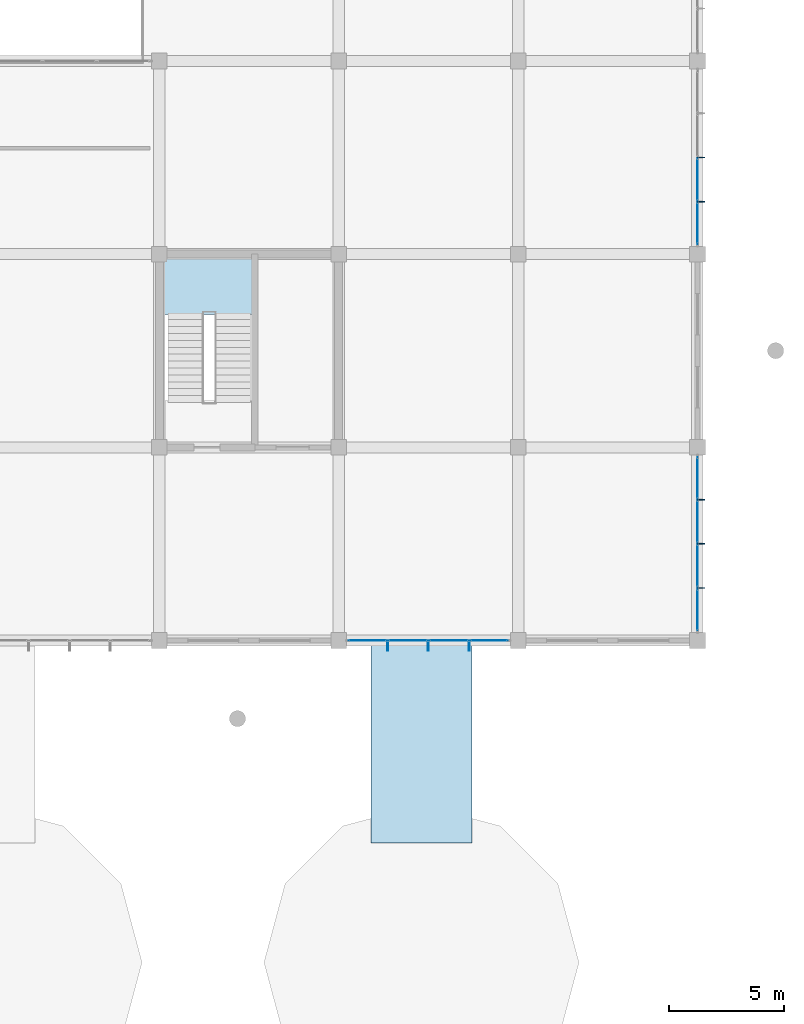
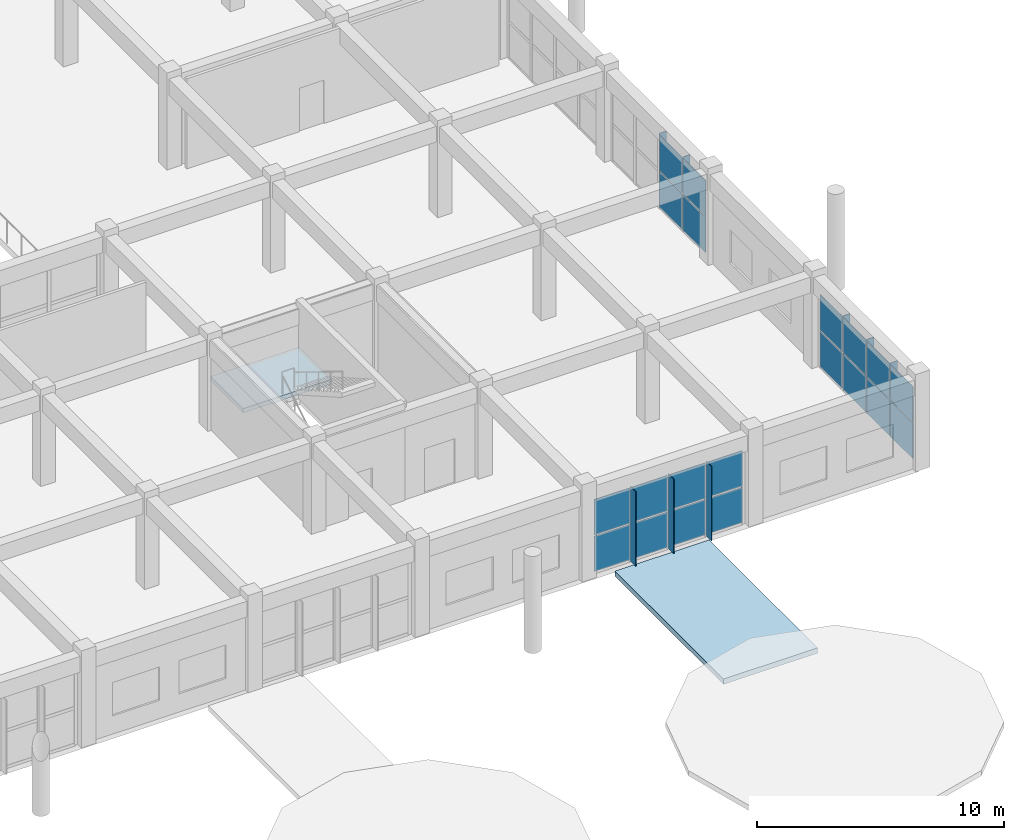
# One storey, part 149 of 175: 28 plates, 2 slabs, 4 elements without a shape of their own.
"""IFC4 building model written with IfcOpenShell, lengths in metres."""

import ifcopenshell
import ifcopenshell.guid

model = None  # the IFC model being written
_history = None  # IfcOwnerHistory: only IFC2X3 demands one
_inside = {}  # id of a spatial element -> (the spatial element, [elements in it])
_under = {}  # id of a project, library or spatial element -> (it, [spatial elements below it])
_declared = {}  # id of a project -> (the project, [libraries it declares])
_typed = {}  # id of a type object -> (the type object, [elements of that type])
_made_of = {}  # id of a material, layer set ... -> (it, [elements and type objects made of it])


def new_model(schema):
    """Start an empty IFC model of exactly this schema.

    Asked for "IFC4X3", IfcOpenShell would pick the latest addendum, in which some entities
    have other attributes; the version numbers below select the first issue.
    IFC2X3 requires an IfcOwnerHistory on every rooted entity: one is made here for all.
    """
    global model, _history
    if schema == "IFC4X3":
        model = ifcopenshell.file(schema_version=(4, 3, 0, 0))
    else:
        model = ifcopenshell.file(schema=schema)
    _inside.clear()
    _under.clear()
    _declared.clear()
    _typed.clear()
    _made_of.clear()
    _history = None
    if model.schema == "IFC2X3":
        org = make("IfcOrganization", Name="unknown")
        user = make(
            "IfcPersonAndOrganization",
            ThePerson=make("IfcPerson", FamilyName="unknown"),
            TheOrganization=org,
        )
        app = make(
            "IfcApplication",
            ApplicationDeveloper=org,
            Version="unknown",
            ApplicationFullName="unknown",
            ApplicationIdentifier="unknown",
        )
        _history = make(
            "IfcOwnerHistory",
            OwningUser=user,
            OwningApplication=app,
            ChangeAction="ADDED",
            CreationDate=0,
        )
    return model


def make(cls, **values):
    """One entity of the class cls with the attributes given. An attribute that is None is left unset."""
    return model.create_entity(
        cls, **{name: value for name, value in values.items() if value is not None}
    )


def rooted(cls, **values):
    """An entity with a GlobalId (a new one), such as an element, a storey or a relation."""
    return make(cls, GlobalId=ifcopenshell.guid.new(), OwnerHistory=_history, **values)


def si_unit(unit_type, name, prefix=None):
    """IfcSIUnit, for example si_unit("LENGTHUNIT", "METRE", prefix="MILLI")."""
    return make("IfcSIUnit", UnitType=unit_type, Prefix=prefix, Name=name)


def assignment(units):
    """IfcUnitAssignment: the units of a project."""
    return None if units is None else make("IfcUnitAssignment", Units=units)


def point(xyz):
    """IfcCartesianPoint."""
    return None if xyz is None else make("IfcCartesianPoint", Coordinates=xyz)


def direction(xyz):
    """IfcDirection."""
    return None if xyz is None else make("IfcDirection", DirectionRatios=xyz)


def frame(location, z_axis=None, x_axis=None):
    """IfcAxis2Placement3D, a coordinate frame: its origin and axes. An axis left out is left unset."""
    return make(
        "IfcAxis2Placement3D",
        Location=point(location),
        Axis=direction(z_axis),
        RefDirection=direction(x_axis),
    )


def frame_2d(location, x_axis=None):
    """IfcAxis2Placement2D, a coordinate frame in the plane: its origin and x axis."""
    return make(
        "IfcAxis2Placement2D", Location=point(location), RefDirection=direction(x_axis)
    )


def origin():
    """The frame at (0, 0, 0) with its axes left unset."""
    return frame((0.0, 0.0, 0.0))


def origin_2d():
    """The frame at (0, 0) in the plane with its x axis left unset."""
    return frame_2d((0.0, 0.0))


def place(relative_to, where):
    """IfcLocalPlacement: puts the frame where relative to a parent placement (None: the world)."""
    return make(
        "IfcLocalPlacement", PlacementRelTo=relative_to, RelativePlacement=where
    )


def context(
    kind, dimensions, precision=None, world=None, true_north=None, identifier=None
):
    """IfcGeometricRepresentationContext, for example the 3D "Model" context."""
    return make(
        "IfcGeometricRepresentationContext",
        ContextIdentifier=identifier,
        ContextType=kind,
        CoordinateSpaceDimension=dimensions,
        Precision=precision,
        WorldCoordinateSystem=world,
        TrueNorth=true_north,
    )


def subcontext(parent, identifier, kind, view, scale=None):
    """IfcGeometricRepresentationSubContext, for example "Body" below "Model"."""
    return make(
        "IfcGeometricRepresentationSubContext",
        ContextIdentifier=identifier,
        ContextType=kind,
        ParentContext=parent,
        TargetScale=scale,
        TargetView=view,
    )


def project(units=None, contexts=None):
    """IfcProject with its units and contexts."""
    return rooted(
        "IfcProject",
        Name="project",
        RepresentationContexts=contexts,
        UnitsInContext=assignment(units),
    )


def spatial(cls, under=None, at=None, **own):
    """A site, building, storey or space (cls), placed at a placement, below another one or the project."""
    s = rooted(cls, ObjectPlacement=at, **own)
    if under is not None:
        _under.setdefault(under.id(), (under, []))[1].append(s)
    return s


def polyline(points):
    """IfcPolyline through the points."""
    return make("IfcPolyline", Points=[point(p) for p in points])


def profile(cls, at=None, kind="AREA", **sizes):
    """A parametric profile (cls). Its sizes go by their IFC names, for example OverallWidth=200.0."""
    return make(cls, ProfileType=kind, Position=at, **sizes)


def rectangle(**sizes):
    """IfcRectangleProfileDef."""
    return profile("IfcRectangleProfileDef", **sizes)


def outline(outer, holes=None, kind="AREA"):
    """IfcArbitraryClosedProfileDef: a profile drawn as a closed curve; with holes, ...WithVoids."""
    if holes is None:
        return make("IfcArbitraryClosedProfileDef", ProfileType=kind, OuterCurve=outer)
    return make(
        "IfcArbitraryProfileDefWithVoids",
        ProfileType=kind,
        OuterCurve=outer,
        InnerCurves=holes,
    )


def extrude(swept, where, along, depth):
    """IfcExtrudedAreaSolid: the profile swept, set in the frame where, extruded along a direction by depth."""
    return make(
        "IfcExtrudedAreaSolid",
        SweptArea=swept,
        Position=where,
        ExtrudedDirection=direction(along),
        Depth=depth,
    )


def shape(context_of_items, identifier, shape_type, items):
    """IfcShapeRepresentation: the items that make up one representation, for example the "Body"."""
    return make(
        "IfcShapeRepresentation",
        ContextOfItems=context_of_items,
        RepresentationIdentifier=identifier,
        RepresentationType=shape_type,
        Items=items,
    )


def material(Name=None, Category=None):
    """IfcMaterial."""
    return make("IfcMaterial", Name=Name, Category=Category)


def layer(
    of_material, thickness, ventilated=None, Name=None, Category=None, Priority=None
):
    """IfcMaterialLayer: one layer of a wall or slab, of a material (None: an air gap)."""
    return make(
        "IfcMaterialLayer",
        Material=of_material,
        LayerThickness=thickness,
        IsVentilated=ventilated,
        Name=Name,
        Category=Category,
        Priority=Priority,
    )


def layer_set(layers, Name=None):
    """IfcMaterialLayerSet."""
    return make("IfcMaterialLayerSet", MaterialLayers=layers, LayerSetName=Name)


def made_of(thing, what):
    """Note that an element or type object is made of a material, layer set ...; save() writes the relation."""
    if what is not None:
        _made_of.setdefault(what.id(), (what, []))[1].append(thing)
    return thing


def type_object(cls, material=None, **own):
    """A type object (cls), such as IfcWallType, which elements share."""
    return made_of(rooted(cls, **own), material)


def element(
    cls,
    number,
    at=None,
    inside=None,
    cuts=None,
    type_object=None,
    material=None,
    context=None,
    identifier="Body",
    shape_type=None,
    held_by="IfcProductDefinitionShape",
    body=None,
    shapes=None,
    **own,
):
    """One element of the class cls, such as IfcWall. Its Tag is "e" and its number.

    at: its placement. inside: the storey or other place that contains it. cuts: it is an
    opening in that element (IfcRelVoidsElement). A single representation is given by context,
    identifier, shape_type and body (its items); several are given by shapes. held_by: the class
    of the entity that holds the representations. save() writes the other relations.
    """
    e = rooted(cls, Tag="e%d" % number, ObjectPlacement=at, **own)
    if body is not None:
        shapes = [shape(context, identifier, shape_type, body)]
    if shapes is not None:
        e.Representation = make(held_by, Representations=shapes)
    if inside is not None:
        _inside.setdefault(inside.id(), (inside, []))[1].append(e)
    if cuts is not None:
        rooted(
            "IfcRelVoidsElement", RelatingBuildingElement=cuts, RelatedOpeningElement=e
        )
    if type_object is not None:
        _typed.setdefault(type_object.id(), (type_object, []))[1].append(e)
    return made_of(e, material)


def aggregate(whole, parts):
    """IfcRelAggregates: a whole, such as a stair, and the parts it consists of."""
    return rooted("IfcRelAggregates", RelatingObject=whole, RelatedObjects=parts)


def save(model, path):
    """Write the relations noted so far, then the file.

    IfcRelAggregates (storeys below a building ...), IfcRelContainedInSpatialStructure (elements
    in a storey), IfcRelDefinesByType, IfcRelAssociatesMaterial and IfcRelDeclares: one each for
    every whole, place, type object, material and project.
    """
    for whole, parts in _under.values():
        aggregate(whole, parts)
    for where, things in _inside.values():
        rooted(
            "IfcRelContainedInSpatialStructure",
            RelatedElements=things,
            RelatingStructure=where,
        )
    for kind, things in _typed.values():
        rooted("IfcRelDefinesByType", RelatedObjects=things, RelatingType=kind)
    for what, things in _made_of.values():
        rooted("IfcRelAssociatesMaterial", RelatedObjects=things, RelatingMaterial=what)
    for by, libraries in _declared.values():
        rooted("IfcRelDeclares", RelatingContext=by, RelatedDefinitions=libraries)
    model.write(path)


model = new_model("IFC4")

# Units and contexts
model_context = context("Model", 3, precision=1e-05, world=origin(), true_north=direction((0.0, 1.0)))
body_context = subcontext(model_context, "Body", "Model", "MODEL_VIEW")
ifc_project = project(units=[si_unit("LENGTHUNIT", "METRE"), si_unit("AREAUNIT", "SQUARE_METRE"), si_unit("VOLUMEUNIT", "CUBIC_METRE"), si_unit("PLANEANGLEUNIT", "RADIAN"), si_unit("MASSUNIT", "GRAM", prefix="KILO")], contexts=[model_context])

# Site, building, storey
site_placement = place(None, origin())
site = spatial("IfcSite", under=ifc_project, at=site_placement, CompositionType="ELEMENT")
building_placement = place(site_placement, origin())
building = spatial("IfcBuilding", under=site, at=building_placement, Name="Zizhar Promenade General Hospital", CompositionType="ELEMENT")
storey_placement = place(building_placement, frame((0.0, 0.0, 4.800048828125)))
storey = spatial("IfcBuildingStorey", under=building, at=storey_placement, Name="L01", CompositionType="ELEMENT", Elevation=4.800048828125)

# Curtain wall, plates
ifc_material_1 = material(Name="Anodised aluminium 6063-T6 and low-E glass", Category="aluminium")
ifc_layer_1 = layer(ifc_material_1, 0.159912109375)
ifc_layer_set_1 = layer_set([ifc_layer_1], Name="Anodised aluminium 6063-T6 and low-E glass")
curtain_wall_type = type_object("IfcCurtainWallType", Name="CW-CLN-EXT", PredefinedType="NOTDEFINED", material=ifc_layer_set_1)
curtain_wall_1_placement = place(storey_placement, origin())
curtain_wall_1 = element("IfcCurtainWall", 1, at=curtain_wall_1_placement, inside=storey, type_object=curtain_wall_type, Name="Outpatient East Curtain Wall L01-5", PredefinedType="NOTDEFINED")
ifc_material_2 = material(Name="Low-E solar-control glass", Category="glass")
ifc_layer_2 = layer(ifc_material_2, 0.031982421875)
ifc_layer_set_2 = layer_set([ifc_layer_2], Name="Low-E solar-control glass")
plate_type_1 = type_object("IfcPlateType", Name="CWP-GLZ-32", PredefinedType="CURTAIN_PANEL", material=ifc_layer_set_2)
plate_1_placement = place(storey_placement, frame((195.0, 49.06005859375, 0.06005859375), z_axis=(0.0, 0.0, 1.0), x_axis=(0.0, -1.0, 0.0)))
plate_1 = element("IfcPlate", 2, at=plate_1_placement, type_object=plate_type_1, Name="CW-09 panel 1.1", PredefinedType="CURTAIN_PANEL", context=body_context, shape_type="SweptSolid", body=[
    extrude(rectangle(XDim=1.800048828125, YDim=0.031982421875, at=origin_2d()), origin(), (0.0, 0.0, 1.0), 1.75),
])
plate_2_placement = place(storey_placement, frame((195.0, 49.06005859375, 1.869873046875), z_axis=(0.0, 0.0, 1.0), x_axis=(0.0, -1.0, 0.0)))
plate_2 = element("IfcPlate", 3, at=plate_2_placement, type_object=plate_type_1, Name="CW-09 panel 1.2", PredefinedType="CURTAIN_PANEL", context=body_context, shape_type="SweptSolid", body=[
    extrude(rectangle(XDim=1.800048828125, YDim=0.031982421875, at=origin_2d()), origin(), (0.0, 0.0, 1.0), 1.75),
])
plate_3_placement = place(storey_placement, frame((195.0, 47.159912109375, 0.06005859375), z_axis=(0.0, 0.0, 1.0), x_axis=(0.0, -1.0, 0.0)))
plate_3 = element("IfcPlate", 4, at=plate_3_placement, type_object=plate_type_1, Name="CW-09 panel 2.1", PredefinedType="CURTAIN_PANEL", context=body_context, shape_type="SweptSolid", body=[
    extrude(rectangle(XDim=1.840087890625, YDim=0.031982421875, at=origin_2d()), origin(), (0.0, 0.0, 1.0), 1.75),
])
plate_4_placement = place(storey_placement, frame((195.0, 47.159912109375, 1.869873046875), z_axis=(0.0, 0.0, 1.0), x_axis=(0.0, -1.0, 0.0)))
plate_4 = element("IfcPlate", 5, at=plate_4_placement, type_object=plate_type_1, Name="CW-09 panel 2.2", PredefinedType="CURTAIN_PANEL", context=body_context, shape_type="SweptSolid", body=[
    extrude(rectangle(XDim=1.840087890625, YDim=0.031982421875, at=origin_2d()), origin(), (0.0, 0.0, 1.0), 1.75),
])
plate_5_placement = place(storey_placement, frame((195.0, 45.239990234375, 0.06005859375), z_axis=(0.0, 0.0, 1.0), x_axis=(0.0, -1.0, 0.0)))
plate_5 = element("IfcPlate", 6, at=plate_5_placement, type_object=plate_type_1, Name="CW-09 panel 3.1", PredefinedType="CURTAIN_PANEL", context=body_context, shape_type="SweptSolid", body=[
    extrude(rectangle(XDim=1.840087890625, YDim=0.031982421875, at=origin_2d()), origin(), (0.0, 0.0, 1.0), 1.75),
])
plate_6_placement = place(storey_placement, frame((195.0, 45.239990234375, 1.869873046875), z_axis=(0.0, 0.0, 1.0), x_axis=(0.0, -1.0, 0.0)))
plate_6 = element("IfcPlate", 7, at=plate_6_placement, type_object=plate_type_1, Name="CW-09 panel 3.2", PredefinedType="CURTAIN_PANEL", context=body_context, shape_type="SweptSolid", body=[
    extrude(rectangle(XDim=1.840087890625, YDim=0.031982421875, at=origin_2d()), origin(), (0.0, 0.0, 1.0), 1.75),
])
plate_7_placement = place(storey_placement, frame((195.0, 43.340087890625, 0.06005859375), z_axis=(0.0, 0.0, 1.0), x_axis=(0.0, -1.0, 0.0)))
plate_7 = element("IfcPlate", 8, at=plate_7_placement, type_object=plate_type_1, Name="CW-09 panel 4.1", PredefinedType="CURTAIN_PANEL", context=body_context, shape_type="SweptSolid", body=[
    extrude(rectangle(XDim=1.800048828125, YDim=0.031982421875, at=origin_2d()), origin(), (0.0, 0.0, 1.0), 1.75),
])
plate_8_placement = place(storey_placement, frame((195.0, 43.340087890625, 1.869873046875), z_axis=(0.0, 0.0, 1.0), x_axis=(0.0, -1.0, 0.0)))
plate_8 = element("IfcPlate", 9, at=plate_8_placement, type_object=plate_type_1, Name="CW-09 panel 4.2", PredefinedType="CURTAIN_PANEL", context=body_context, shape_type="SweptSolid", body=[
    extrude(rectangle(XDim=1.800048828125, YDim=0.031982421875, at=origin_2d()), origin(), (0.0, 0.0, 1.0), 1.75),
])
aggregate(curtain_wall_1, [plate_1, plate_2, plate_3, plate_4, plate_5, plate_6, plate_7, plate_8])

curtain_wall_2_placement = place(storey_placement, origin())
curtain_wall_2 = element("IfcCurtainWall", 10, at=curtain_wall_2_placement, inside=storey, type_object=curtain_wall_type, Name="Outpatient East Curtain Wall L01-7", PredefinedType="NOTDEFINED")
plate_9_placement = place(storey_placement, frame((195.0, 62.0400390625, 0.06005859375), z_axis=(0.0, 0.0, 1.0), x_axis=(0.0, -1.0, 0.0)))
plate_9 = element("IfcPlate", 11, at=plate_9_placement, type_object=plate_type_1, Name="CW-09 panel 3.1", PredefinedType="CURTAIN_PANEL", context=body_context, shape_type="SweptSolid", body=[
    extrude(rectangle(XDim=1.840087890625, YDim=0.031982421875, at=origin_2d()), origin(), (0.0, 0.0, 1.0), 1.75),
])
plate_10_placement = place(storey_placement, frame((195.0, 62.0400390625, 1.869873046875), z_axis=(0.0, 0.0, 1.0), x_axis=(0.0, -1.0, 0.0)))
plate_10 = element("IfcPlate", 12, at=plate_10_placement, type_object=plate_type_1, Name="CW-09 panel 3.2", PredefinedType="CURTAIN_PANEL", context=body_context, shape_type="SweptSolid", body=[
    extrude(rectangle(XDim=1.840087890625, YDim=0.031982421875, at=origin_2d()), origin(), (0.0, 0.0, 1.0), 1.75),
])
plate_11_placement = place(storey_placement, frame((195.0, 60.139892578125, 0.06005859375), z_axis=(0.0, 0.0, 1.0), x_axis=(0.0, -1.0, 0.0)))
plate_11 = element("IfcPlate", 13, at=plate_11_placement, type_object=plate_type_1, Name="CW-09 panel 4.1", PredefinedType="CURTAIN_PANEL", context=body_context, shape_type="SweptSolid", body=[
    extrude(rectangle(XDim=1.800048828125, YDim=0.031982421875, at=origin_2d()), origin(), (0.0, 0.0, 1.0), 1.75),
])
plate_12_placement = place(storey_placement, frame((195.0, 60.139892578125, 1.869873046875), z_axis=(0.0, 0.0, 1.0), x_axis=(0.0, -1.0, 0.0)))
plate_12 = element("IfcPlate", 14, at=plate_12_placement, type_object=plate_type_1, Name="CW-09 panel 4.2", PredefinedType="CURTAIN_PANEL", context=body_context, shape_type="SweptSolid", body=[
    extrude(rectangle(XDim=1.800048828125, YDim=0.031982421875, at=origin_2d()), origin(), (0.0, 0.0, 1.0), 1.75),
])
aggregate(curtain_wall_2, [plate_9, plate_10, plate_11, plate_12])

curtain_wall_3_placement = place(storey_placement, origin())
curtain_wall_3 = element("IfcCurtainWall", 15, at=curtain_wall_3_placement, inside=storey, type_object=curtain_wall_type, Name="Outpatient Forecourt Curtain Wall L01-23", PredefinedType="NOTDEFINED")
plate_13_placement = place(storey_placement, frame((185.93505859375, 42.0, 0.06005859375), z_axis=(0.0, 0.0, 1.0), x_axis=(-1.0, 0.0, 0.0)))
plate_13 = element("IfcPlate", 16, at=plate_13_placement, type_object=plate_type_1, Name="CW-09 panel 1.1", PredefinedType="CURTAIN_PANEL", context=body_context, shape_type="SweptSolid", body=[
    extrude(rectangle(XDim=1.64990234375, YDim=0.031982421875, at=origin_2d()), origin(), (0.0, 0.0, 1.0), 1.75),
])
plate_14_placement = place(storey_placement, frame((185.93505859375, 42.0, 1.869873046875), z_axis=(0.0, 0.0, 1.0), x_axis=(-1.0, 0.0, 0.0)))
plate_14 = element("IfcPlate", 17, at=plate_14_placement, type_object=plate_type_1, Name="CW-09 panel 1.2", PredefinedType="CURTAIN_PANEL", context=body_context, shape_type="SweptSolid", body=[
    extrude(rectangle(XDim=1.64990234375, YDim=0.031982421875, at=origin_2d()), origin(), (0.0, 0.0, 1.0), 1.75),
])
plate_15_placement = place(storey_placement, frame((184.18505859375, 42.0, 0.06005859375), z_axis=(0.0, 0.0, 1.0), x_axis=(-1.0, 0.0, 0.0)))
plate_15 = element("IfcPlate", 18, at=plate_15_placement, type_object=plate_type_1, Name="CW-09 panel 2.1", PredefinedType="CURTAIN_PANEL", context=body_context, shape_type="SweptSolid", body=[
    extrude(rectangle(XDim=1.68994140625, YDim=0.031982421875, at=origin_2d()), origin(), (0.0, 0.0, 1.0), 1.75),
])
plate_16_placement = place(storey_placement, frame((184.18505859375, 42.0, 1.869873046875), z_axis=(0.0, 0.0, 1.0), x_axis=(-1.0, 0.0, 0.0)))
plate_16 = element("IfcPlate", 19, at=plate_16_placement, type_object=plate_type_1, Name="CW-09 panel 2.2", PredefinedType="CURTAIN_PANEL", context=body_context, shape_type="SweptSolid", body=[
    extrude(rectangle(XDim=1.68994140625, YDim=0.031982421875, at=origin_2d()), origin(), (0.0, 0.0, 1.0), 1.75),
])
plate_17_placement = place(storey_placement, frame((182.4150390625, 42.0, 0.06005859375), z_axis=(0.0, 0.0, 1.0), x_axis=(-1.0, 0.0, 0.0)))
plate_17 = element("IfcPlate", 20, at=plate_17_placement, type_object=plate_type_1, Name="CW-09 panel 3.1", PredefinedType="CURTAIN_PANEL", context=body_context, shape_type="SweptSolid", body=[
    extrude(rectangle(XDim=1.68994140625, YDim=0.031982421875, at=origin_2d()), origin(), (0.0, 0.0, 1.0), 1.75),
])
plate_18_placement = place(storey_placement, frame((182.4150390625, 42.0, 1.869873046875), z_axis=(0.0, 0.0, 1.0), x_axis=(-1.0, 0.0, 0.0)))
plate_18 = element("IfcPlate", 21, at=plate_18_placement, type_object=plate_type_1, Name="CW-09 panel 3.2", PredefinedType="CURTAIN_PANEL", context=body_context, shape_type="SweptSolid", body=[
    extrude(rectangle(XDim=1.68994140625, YDim=0.031982421875, at=origin_2d()), origin(), (0.0, 0.0, 1.0), 1.75),
])
plate_19_placement = place(storey_placement, frame((180.6650390625, 42.0, 0.06005859375), z_axis=(0.0, 0.0, 1.0), x_axis=(-1.0, 0.0, 0.0)))
plate_19 = element("IfcPlate", 22, at=plate_19_placement, type_object=plate_type_1, Name="CW-09 panel 4.1", PredefinedType="CURTAIN_PANEL", context=body_context, shape_type="SweptSolid", body=[
    extrude(rectangle(XDim=1.64990234375, YDim=0.031982421875, at=origin_2d()), origin(), (0.0, 0.0, 1.0), 1.75),
])
plate_20_placement = place(storey_placement, frame((180.6650390625, 42.0, 1.869873046875), z_axis=(0.0, 0.0, 1.0), x_axis=(-1.0, 0.0, 0.0)))
plate_20 = element("IfcPlate", 23, at=plate_20_placement, type_object=plate_type_1, Name="CW-09 panel 4.2", PredefinedType="CURTAIN_PANEL", context=body_context, shape_type="SweptSolid", body=[
    extrude(rectangle(XDim=1.64990234375, YDim=0.031982421875, at=origin_2d()), origin(), (0.0, 0.0, 1.0), 1.75),
])
aggregate(curtain_wall_3, [plate_13, plate_14, plate_15, plate_16, plate_17, plate_18, plate_19, plate_20])

# Plates
ifc_material_3 = material(Name="Anodised aluminium 6063-T6", Category="aluminium")
ifc_layer_3 = layer(ifc_material_3, 0.033935546875)
ifc_layer_set_3 = layer_set([ifc_layer_3], Name="Anodised aluminium 6063-T6")
plate_type_2 = type_object("IfcPlateType", Name="FIN-ALU-320", PredefinedType="USERDEFINED", material=ifc_layer_set_3)
plate_21_placement = place(storey_placement, origin())
element("IfcPlate", 24, at=plate_21_placement, inside=storey, type_object=plate_type_2, Name="Outpatient East Curtain Wall L01-5 Solar Fin 1", ObjectType="SOLAR_SHADE", PredefinedType="USERDEFINED", context=body_context, shape_type="SweptSolid", body=[
    extrude(outline(polyline([(195.0, 48.136962890625), (195.0, 48.10302734375), (195.320068359375, 48.10302734375), (195.320068359375, 48.136962890625), (195.0, 48.136962890625)])), origin(), (0.0, 0.0, 1.0), 3.679931640625),
])
plate_22_placement = place(storey_placement, origin())
element("IfcPlate", 25, at=plate_22_placement, inside=storey, type_object=plate_type_2, Name="Outpatient East Curtain Wall L01-5 Solar Fin 2", ObjectType="SOLAR_SHADE", PredefinedType="USERDEFINED", context=body_context, shape_type="SweptSolid", body=[
    extrude(outline(polyline([(195.0, 46.217041015625), (195.0, 46.18310546875), (195.320068359375, 46.18310546875), (195.320068359375, 46.217041015625), (195.0, 46.217041015625)])), origin(), (0.0, 0.0, 1.0), 3.679931640625),
])
plate_23_placement = place(storey_placement, origin())
element("IfcPlate", 26, at=plate_23_placement, inside=storey, type_object=plate_type_2, Name="Outpatient East Curtain Wall L01-5 Solar Fin 3", ObjectType="SOLAR_SHADE", PredefinedType="USERDEFINED", context=body_context, shape_type="SweptSolid", body=[
    extrude(outline(polyline([(195.0, 44.297119140625), (195.0, 44.262939453125), (195.320068359375, 44.262939453125), (195.320068359375, 44.297119140625), (195.0, 44.297119140625)])), origin(), (0.0, 0.0, 1.0), 3.679931640625),
])
plate_24_placement = place(storey_placement, origin())
element("IfcPlate", 27, at=plate_24_placement, inside=storey, type_object=plate_type_2, Name="Outpatient East Curtain Wall L01-7 Solar Fin 2", ObjectType="SOLAR_SHADE", PredefinedType="USERDEFINED", context=body_context, shape_type="SweptSolid", body=[
    extrude(outline(polyline([(195.0, 63.01708984375), (195.0, 62.98291015625), (195.320068359375, 62.98291015625), (195.320068359375, 63.01708984375), (195.0, 63.01708984375)])), origin(), (0.0, 0.0, 1.0), 3.679931640625),
])
plate_25_placement = place(storey_placement, origin())
element("IfcPlate", 28, at=plate_25_placement, inside=storey, type_object=plate_type_2, Name="Outpatient East Curtain Wall L01-7 Solar Fin 3", ObjectType="SOLAR_SHADE", PredefinedType="USERDEFINED", context=body_context, shape_type="SweptSolid", body=[
    extrude(outline(polyline([(195.0, 61.096923828125), (195.0, 61.06298828125), (195.320068359375, 61.06298828125), (195.320068359375, 61.096923828125), (195.0, 61.096923828125)])), origin(), (0.0, 0.0, 1.0), 3.679931640625),
])
ifc_material_4 = material(Name="Anodised aluminium 6063-T6", Category="aluminium")
ifc_layer_4 = layer(ifc_material_4, 0.0400390625)
ifc_layer_set_4 = layer_set([ifc_layer_4], Name="Anodised aluminium 6063-T6")
plate_type_3 = type_object("IfcPlateType", Name="FIN-ALU-450", PredefinedType="USERDEFINED", material=ifc_layer_set_4)
plate_26_placement = place(storey_placement, origin())
element("IfcPlate", 29, at=plate_26_placement, inside=storey, type_object=plate_type_3, Name="Outpatient Forecourt Curtain Wall L01-23 Solar Fin 1", ObjectType="SOLAR_SHADE", PredefinedType="USERDEFINED", context=body_context, shape_type="SweptSolid", body=[
    extrude(outline(polyline([(185.090087890625, 42.0), (185.050048828125, 42.0), (185.050048828125, 41.550048828125), (185.090087890625, 41.550048828125), (185.090087890625, 42.0)])), origin(), (0.0, 0.0, 1.0), 3.679931640625),
])
plate_27_placement = place(storey_placement, origin())
element("IfcPlate", 30, at=plate_27_placement, inside=storey, type_object=plate_type_3, Name="Outpatient Forecourt Curtain Wall L01-23 Solar Fin 2", ObjectType="SOLAR_SHADE", PredefinedType="USERDEFINED", context=body_context, shape_type="SweptSolid", body=[
    extrude(outline(polyline([(183.320068359375, 42.0), (183.280029296875, 42.0), (183.280029296875, 41.550048828125), (183.320068359375, 41.550048828125), (183.320068359375, 42.0)])), origin(), (0.0, 0.0, 1.0), 3.679931640625),
])
plate_28_placement = place(storey_placement, origin())
element("IfcPlate", 31, at=plate_28_placement, inside=storey, type_object=plate_type_3, Name="Outpatient Forecourt Curtain Wall L01-23 Solar Fin 3", ObjectType="SOLAR_SHADE", PredefinedType="USERDEFINED", context=body_context, shape_type="SweptSolid", body=[
    extrude(outline(polyline([(181.550048828125, 42.0), (181.510009765625, 42.0), (181.510009765625, 41.550048828125), (181.550048828125, 41.550048828125), (181.550048828125, 42.0)])), origin(), (0.0, 0.0, 1.0), 3.679931640625),
])

# Stair, slab
ifc_material_5 = material(Name="Concrete C35/45", Category="concrete")
stair_type = type_object("IfcStairType", Name="STR-DOG-480", PredefinedType="HALF_TURN_STAIR", material=ifc_material_5)
stair_placement = place(storey_placement, origin())
stair = element("IfcStair", 32, at=stair_placement, inside=storey, type_object=stair_type, Name="Exit Stair ST-09 (L01 to L02)", PredefinedType="HALF_TURN_STAIR")
ifc_material_6 = material(Name="Concrete C35/45", Category="concrete")
ifc_layer_5 = layer(ifc_material_6, 0.219970703125)
ifc_layer_set_5 = layer_set([ifc_layer_5], Name="Concrete C35/45")
slab_type_1 = type_object("IfcSlabType", Name="SLB-LAND-480", PredefinedType="LANDING", material=ifc_layer_set_5)
slab_1_placement = place(storey_placement, frame((0.0, 0.0, 2.179931640625)))
slab_1 = element("IfcSlab", 33, at=slab_1_placement, type_object=slab_type_1, Name="ST-09A landing 1", PredefinedType="LANDING", context=body_context, shape_type="SweptSolid", body=[
    extrude(outline(polyline([(171.60009765625, 56.169921875), (175.75, 56.169921875), (175.75, 58.800048828125), (171.60009765625, 58.800048828125), (171.60009765625, 56.169921875)])), origin(), (0.0, 0.0, 1.0), 0.219970703125),
])
aggregate(stair, [slab_1])

# Slab
ifc_material_7 = material(Name="Concrete C35/45", Category="concrete")
ifc_layer_6 = layer(ifc_material_7, 0.260009765625)
ifc_layer_set_6 = layer_set([ifc_layer_6], Name="Concrete C35/45")
slab_type_2 = type_object("IfcSlabType", Name="SLB-ROOF-260", PredefinedType="ROOF", material=ifc_layer_set_6)
slab_2_placement = place(storey_placement, frame((0.0, 0.0, -0.52001953125)))
element("IfcSlab", 34, at=slab_2_placement, inside=storey, type_object=slab_type_2, Name="Community Health Information Pavilion Covered Link Canopy Slab", PredefinedType="ROOF", context=body_context, shape_type="SweptSolid", body=[
    extrude(outline(polyline([(180.800048828125, 33.199951171875), (185.199951171875, 33.199951171875), (185.199951171875, 42.0), (180.800048828125, 42.0), (180.800048828125, 33.199951171875)])), origin(), (0.0, 0.0, 1.0), 0.260009765625),
])

save(model, "model.ifc")
